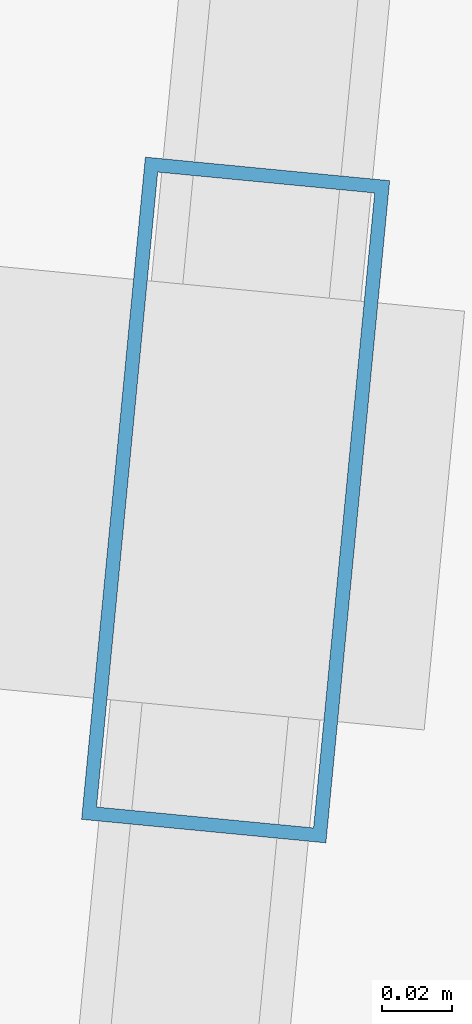
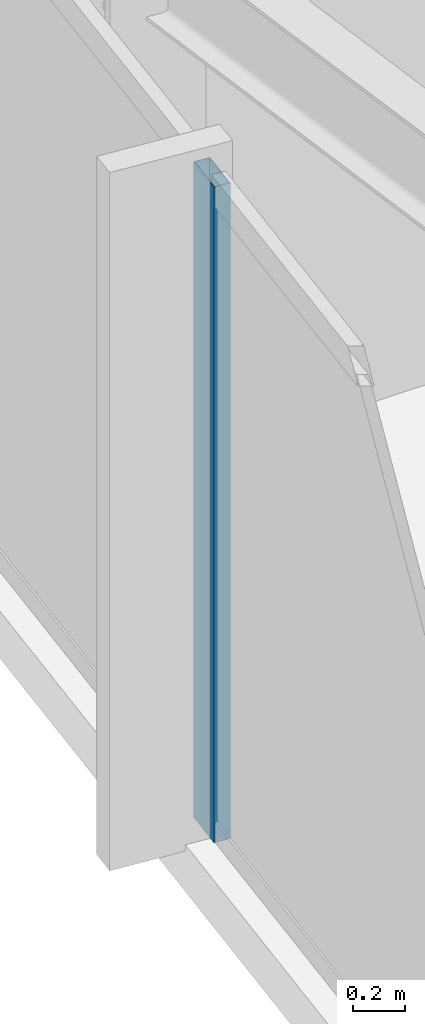
# One storey, part 4 of 38: 1 member, 1 element without a shape of its own.
"""IFC4 building model written with IfcOpenShell, lengths in metres."""

from ifc_helpers import new_model, si_unit, direction, frame, origin, origin_2d, place, context, subcontext, project, spatial, hollow_rectangle, extrude, material, material_profile, profile_set, type_object, element, aggregate, save


model = new_model("IFC4")

# Units and contexts
model_context = context("Model", 3, precision=1e-05, world=origin(), true_north=direction((0.0, 1.0)))
body_context = subcontext(model_context, "Body", "Model", "MODEL_VIEW")
ifc_project = project(units=[si_unit("LENGTHUNIT", "METRE"), si_unit("AREAUNIT", "SQUARE_METRE"), si_unit("VOLUMEUNIT", "CUBIC_METRE"), si_unit("PLANEANGLEUNIT", "RADIAN"), si_unit("MASSUNIT", "GRAM", prefix="KILO")], contexts=[model_context])

# Site, building, storey
site_placement = place(None, origin())
site = spatial("IfcSite", under=ifc_project, at=site_placement, CompositionType="ELEMENT")
building_placement = place(site_placement, origin())
building = spatial("IfcBuilding", under=site, at=building_placement, Name="Yelkora Congress Tower", CompositionType="ELEMENT")
storey_placement = place(building_placement, frame((0.0, 0.0, 155.60009765625)))
storey = spatial("IfcBuildingStorey", under=building, at=storey_placement, Name="L42", CompositionType="ELEMENT", Elevation=155.60009765625)

# Curtain wall, member
ifc_material_1 = material(Name="Anodised aluminium and insulated glass", Category="aluminium")
curtain_wall_type = type_object("IfcCurtainWallType", Name="CW-SYS-B3", PredefinedType="NOTDEFINED", material=ifc_material_1)
curtain_wall_placement = place(storey_placement, origin())
curtain_wall = element("IfcCurtainWall", 1, at=curtain_wall_placement, inside=storey, type_object=curtain_wall_type, Name="L42 Unitised Curtain Wall 5", PredefinedType="NOTDEFINED")
ifc_material_2 = material(Name="Anodised aluminium 6063-T6", Category="aluminium")
ifc_material_profile = material_profile(ifc_material_2, hollow_rectangle(XDim=0.070068359375, YDim=0.18994140625, WallThickness=0.00390625, at=origin_2d()), Name="ALU 70x190x4")
ifc_profile_set = profile_set([ifc_material_profile], Name="Anodised aluminium 6063-T6")
member_type = type_object("IfcMemberType", Name="MEM-ML-B3", PredefinedType="MULLION", material=ifc_profile_set)
member_placement = place(storey_placement, frame((1.9248046875, 22.962158203125, 0.0), z_axis=(0.0, 0.0, 1.0), x_axis=(-0.995396242473, 0.095845294465, 0.0)))
member = element("IfcMember", 2, at=member_placement, type_object=member_type, Name="CW-B3 mullion 2", PredefinedType="MULLION", context=body_context, shape_type="SweptSolid", body=[
    extrude(hollow_rectangle(XDim=0.070068359375, YDim=0.18994140625, WallThickness=0.00390625, at=origin_2d()), origin(), (0.0, 0.0, 1.0), 3.079833984375),
])
aggregate(curtain_wall, [member])

save(model, "model.ifc")
